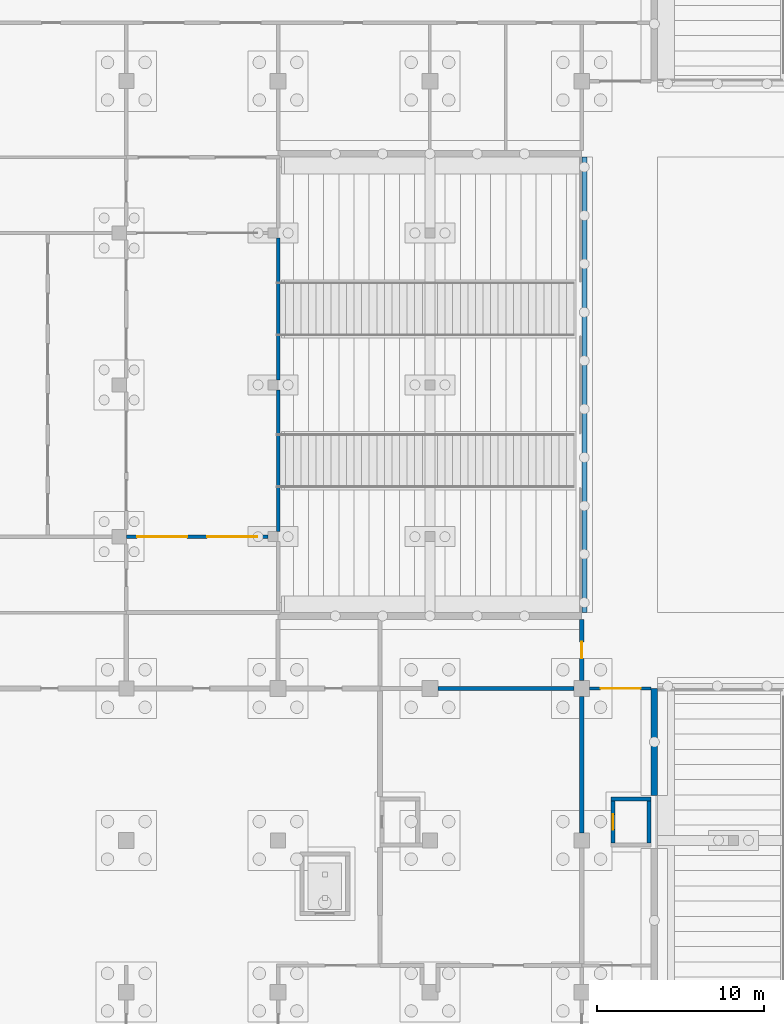
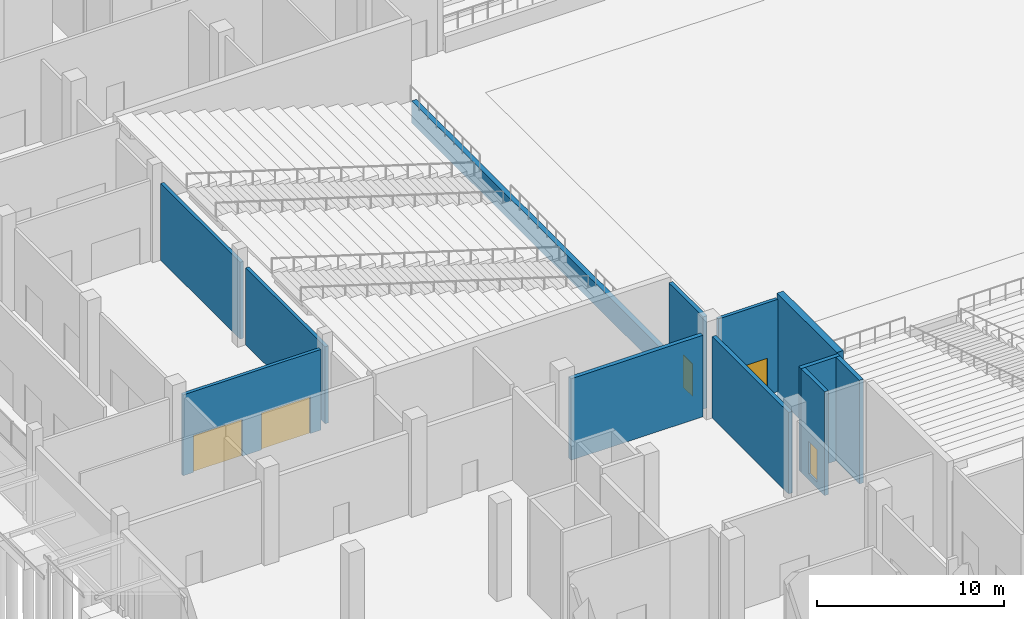
# One storey, part 71 of 129: 12 walls, 5 doors, 5 openings.
"""IFC4 building model written with IfcOpenShell, lengths in metres."""

from ifc_helpers import new_model, si_unit, direction, frame, frame_2d, origin, place, context, subcontext, project, spatial, rectangle, extrude, material, layer, layer_set, type_object, element, fill, save


model = new_model("IFC4")

# Units and contexts
model_context = context("Model", 3, precision=1e-05, world=origin(), true_north=direction((0.0, 1.0)))
body_context = subcontext(model_context, "Body", "Model", "MODEL_VIEW")
ifc_project = project(units=[si_unit("LENGTHUNIT", "METRE"), si_unit("AREAUNIT", "SQUARE_METRE"), si_unit("VOLUMEUNIT", "CUBIC_METRE"), si_unit("PLANEANGLEUNIT", "RADIAN"), si_unit("MASSUNIT", "GRAM", prefix="KILO")], contexts=[model_context])

# Site, building, storey
site_placement = place(None, origin())
site = spatial("IfcSite", under=ifc_project, at=site_placement, CompositionType="ELEMENT")
building_placement = place(site_placement, origin())
building = spatial("IfcBuilding", under=site, at=building_placement, Name="Shirokan Park Arena", CompositionType="ELEMENT")
storey_placement = place(building_placement, origin())
storey = spatial("IfcBuildingStorey", under=building, at=storey_placement, Name="L00", CompositionType="ELEMENT", Elevation=0.0)

# Walls
ifc_material_1 = material(Name="Plaster")
ifc_layer_1 = layer(ifc_material_1, 0.014892578125, Name="Plaster")
ifc_material_2 = material(Name="Concrete blockwork", Category="masonry")
ifc_layer_2 = layer(ifc_material_2, 0.219970703125, Name="Concrete blockwork 220")
ifc_layer_3 = layer(ifc_material_1, 0.014892578125, Name="Plaster")
ifc_layer_set_1 = layer_set([ifc_layer_1, ifc_layer_2, ifc_layer_3], Name="Plaster + Concrete blockwork 220")
wall_type_1 = type_object("IfcWallType", Name="Compartment wall 250", PredefinedType="SOLIDWALL", material=ifc_layer_set_1)
wall_1_placement = place(storey_placement, frame((27.77490234375, 36.39990234375, 0.0), z_axis=(0.0, 0.0, 1.0), x_axis=(1.0, 0.0, 0.0)))
element("IfcWall", 1, at=wall_1_placement, inside=storey, type_object=wall_type_1, Name="Compartment wall 250 L00", PredefinedType="SOLIDWALL", context=body_context, shape_type="SweptSolid", body=[
    extrude(rectangle(XDim=8.150146484375, YDim=0.25, at=frame_2d((4.0751953125, 0.0))), origin(), (0.0, 0.0, 1.0), 5.320068359375),
])
wall_2_placement = place(storey_placement, frame((36.39990234375, 35.925048828125, 0.0), z_axis=(0.0, 0.0, 1.0), x_axis=(0.0, -1.0, 0.0)))
element("IfcWall", 2, at=wall_2_placement, inside=storey, type_object=wall_type_1, Name="Compartment wall 250 L00", PredefinedType="SOLIDWALL", context=body_context, shape_type="SweptSolid", body=[
    extrude(rectangle(XDim=8.175048828125, YDim=0.25, at=frame_2d((4.08740234375, 0.0))), origin(), (0.0, 0.0, 1.0), 5.320068359375),
])

# Wall, opening, door
wall_3_placement = place(storey_placement, frame((36.39990234375, 40.550048828125, 0.0), z_axis=(0.0, 0.0, 1.0), x_axis=(0.0, -1.0, 0.0)))
wall_3 = element("IfcWall", 3, at=wall_3_placement, inside=storey, type_object=wall_type_1, Name="Compartment wall 250 L00", PredefinedType="SOLIDWALL", context=body_context, shape_type="SweptSolid", body=[
    extrude(rectangle(XDim=3.675048828125, YDim=0.25, at=frame_2d((1.83740234375, 0.0))), origin(), (0.0, 0.0, 1.0), 6.02001953125),
])
opening_1_placement = place(wall_3_placement, frame((1.35009765625, 0.0, 0.0)))
opening_1 = element("IfcOpeningElement", 4, at=opening_1_placement, cuts=wall_3, Name="Opening D-0005", PredefinedType="OPENING", context=body_context, shape_type="SweptSolid", body=[
    extrude(rectangle(XDim=1.0, YDim=2.10009765625, at=frame_2d((0.5, 1.050048828125))), frame((0.0, 0.135009765625, 0.0), z_axis=(0.0, -1.0, 0.0), x_axis=(1.0, 0.0, 0.0)), (0.0, 0.0, 1.0), 0.27001953125),
])
ifc_material_3 = material(Name="Timber door set, fire resisting", Category="wood")
door_type_1 = type_object("IfcDoorType", Name="Door 1000 x 2100", OperationType="SINGLE_SWING_LEFT", PredefinedType="DOOR", material=ifc_material_3)
door_1_placement = place(opening_1_placement, origin())
door_1 = element("IfcDoor", 5, at=door_1_placement, inside=storey, type_object=door_type_1, Name="Door to Marshalling Store D-0005", OperationType="SINGLE_SWING_RIGHT", OverallHeight=2.10009765625, OverallWidth=1.0, PredefinedType="DOOR", context=body_context, shape_type="SweptSolid", body=[
    extrude(rectangle(XDim=1.0, YDim=2.10009765625, at=frame_2d((0.5, 1.050048828125))), frame((0.0, 0.02490234375, 0.0), z_axis=(0.0, -1.0, 0.0), x_axis=(1.0, 0.0, 0.0)), (0.0, 0.0, 1.0), 0.050048828125),
])
fill(opening_1, door_1)

# Wall, openings, doors
ifc_material_4 = material(Name="Gypsum board")
ifc_layer_4 = layer(ifc_material_4, 0.02490234375, Name="Gypsum board, two layers")
ifc_material_5 = material(Name="Mineral wool insulation")
ifc_layer_5 = layer(ifc_material_5, 0.14990234375, Name="Mineral wool insulation")
ifc_layer_6 = layer(ifc_material_4, 0.02490234375, Name="Gypsum board, two layers")
ifc_layer_set_2 = layer_set([ifc_layer_4, ifc_layer_5, ifc_layer_6], Name="Gypsum board, two layers + Mineral wool insulation")
wall_type_2 = type_object("IfcWallType", Name="Corridor wall 200", PredefinedType="PARTITIONING", material=ifc_layer_set_2)
wall_4_placement = place(storey_placement, frame((17.60009765625, 45.5, 0.0), z_axis=(0.0, 0.0, 1.0), x_axis=(-1.0, 0.0, 0.0)))
wall_4 = element("IfcWall", 6, at=wall_4_placement, inside=storey, type_object=wall_type_2, Name="Corridor wall 200 L00", PredefinedType="PARTITIONING", context=body_context, shape_type="SweptSolid", body=[
    extrude(rectangle(XDim=8.5, YDim=0.199951171875, at=frame_2d((4.25, 0.0))), origin(), (0.0, 0.0, 1.0), 5.27001953125),
])
opening_2_placement = place(wall_4_placement, frame((0.64990234375, 0.0, 0.0)))
opening_2 = element("IfcOpeningElement", 7, at=opening_2_placement, cuts=wall_4, Name="Opening D-0157", PredefinedType="OPENING", context=body_context, shape_type="SweptSolid", body=[
    extrude(rectangle(XDim=3.0, YDim=2.39990234375, at=frame_2d((1.5, 1.199951171875))), frame((0.0, 0.10986328125, 0.0), z_axis=(0.0, -1.0, 0.0), x_axis=(1.0, 0.0, 0.0)), (0.0, 0.0, 1.0), 0.219970703125),
])
opening_3_placement = place(wall_4_placement, frame((4.85009765625, 0.0, 0.0)))
opening_3 = element("IfcOpeningElement", 8, at=opening_3_placement, cuts=wall_4, Name="Opening D-0158", PredefinedType="OPENING", context=body_context, shape_type="SweptSolid", body=[
    extrude(rectangle(XDim=3.0, YDim=2.39990234375, at=frame_2d((1.5, 1.199951171875))), frame((0.0, 0.10986328125, 0.0), z_axis=(0.0, -1.0, 0.0), x_axis=(1.0, 0.0, 0.0)), (0.0, 0.0, 1.0), 0.219970703125),
])
ifc_material_6 = material(Name="Glazed steel door set, fire resisting", Category="steel")
door_type_2 = type_object("IfcDoorType", Name="Concourse door 3000 x 2400", OperationType="DOUBLE_DOOR_SINGLE_SWING", PredefinedType="DOOR", material=ifc_material_6)
door_2_placement = place(opening_2_placement, origin())
door_2 = element("IfcDoor", 9, at=door_2_placement, inside=storey, type_object=door_type_2, Name="Door between Entrance Concourse E3 and Ticket Hall South E3 D-0157", OperationType="DOUBLE_DOOR_SINGLE_SWING", OverallHeight=2.39990234375, OverallWidth=3.0, PredefinedType="DOOR", context=body_context, shape_type="SweptSolid", body=[
    extrude(rectangle(XDim=3.0, YDim=2.39990234375, at=frame_2d((1.5, 1.199951171875))), frame((0.0, 0.02490234375, 0.0), z_axis=(0.0, -1.0, 0.0), x_axis=(1.0, 0.0, 0.0)), (0.0, 0.0, 1.0), 0.050048828125),
])
fill(opening_2, door_2)
door_3_placement = place(opening_3_placement, origin())
door_3 = element("IfcDoor", 10, at=door_3_placement, inside=storey, type_object=door_type_2, Name="Door between Entrance Concourse E3 and Ticket Hall South E3 D-0158", OperationType="DOUBLE_DOOR_SINGLE_SWING", OverallHeight=2.39990234375, OverallWidth=3.0, PredefinedType="DOOR", context=body_context, shape_type="SweptSolid", body=[
    extrude(rectangle(XDim=3.0, YDim=2.39990234375, at=frame_2d((1.5, 1.199951171875))), frame((0.0, 0.02490234375, 0.0), z_axis=(0.0, -1.0, 0.0), x_axis=(1.0, 0.0, 0.0)), (0.0, 0.0, 1.0), 0.050048828125),
])
fill(opening_3, door_3)

# Walls
for number, where, z_axis, x_axis, name in (
    (11, (18.199951171875, 54.300048828125, 0.0), (0.0, 0.0, 1.0), (0.0, -1.0, 0.0), "Corridor wall 200 L00"),
    (12, (18.199951171875, 63.39990234375, 0.0), (0.0, 0.0, 1.0), (0.0, -1.0, 0.0), "Corridor wall 200 L00"),
):
    element("IfcWall", number, at=place(storey_placement, frame(where, z_axis=z_axis, x_axis=x_axis)), inside=storey, type_object=wall_type_2, Name=name, PredefinedType="PARTITIONING", context=body_context, shape_type="SweptSolid", body=[
        extrude(rectangle(XDim=8.5, YDim=0.199951171875, at=frame_2d((4.25, 0.0))), origin(), (0.0, 0.0, 1.0), 5.02001953125),
    ])

# Wall, opening, door
wall_5_placement = place(storey_placement, frame((36.875, 36.39990234375, 0.0), z_axis=(0.0, 0.0, 1.0), x_axis=(1.0, 0.0, 0.0)))
wall_5 = element("IfcWall", 13, at=wall_5_placement, inside=storey, type_object=wall_type_2, Name="Corridor wall 200 L00", PredefinedType="PARTITIONING", context=body_context, shape_type="SweptSolid", body=[
    extrude(rectangle(XDim=3.675048828125, YDim=0.199951171875, at=frame_2d((1.83740234375, 0.0))), origin(), (0.0, 0.0, 1.0), 6.02001953125),
])
opening_4_placement = place(wall_5_placement, frame((0.64990234375, 0.0, 0.0)))
opening_4 = element("IfcOpeningElement", 14, at=opening_4_placement, cuts=wall_5, Name="Opening D-0037", PredefinedType="OPENING", context=body_context, shape_type="SweptSolid", body=[
    extrude(rectangle(XDim=2.39990234375, YDim=2.39990234375, at=frame_2d((1.199951171875, 1.199951171875))), frame((0.0, 0.10986328125, 0.0), z_axis=(0.0, -1.0, 0.0), x_axis=(1.0, 0.0, 0.0)), (0.0, 0.0, 1.0), 0.219970703125),
])
ifc_material_7 = material(Name="Steel door set, fire resisting", Category="steel")
door_type_3 = type_object("IfcDoorType", Name="Double door 2400 x 2400", OperationType="DOUBLE_DOOR_SINGLE_SWING", PredefinedType="DOOR", material=ifc_material_7)
door_4_placement = place(opening_4_placement, origin())
door_4 = element("IfcDoor", 15, at=door_4_placement, inside=storey, type_object=door_type_3, Name="Door between Floor Access Passage 1 and Team Corridor 1.0 D-0037", OperationType="DOUBLE_DOOR_SINGLE_SWING", OverallHeight=2.39990234375, OverallWidth=2.39990234375, PredefinedType="DOOR", context=body_context, shape_type="SweptSolid", body=[
    extrude(rectangle(XDim=2.39990234375, YDim=2.39990234375, at=frame_2d((1.199951171875, 1.199951171875))), frame((0.0, 0.02490234375, 0.0), z_axis=(0.0, -1.0, 0.0), x_axis=(1.0, 0.0, 0.0)), (0.0, 0.0, 1.0), 0.050048828125),
])
fill(opening_4, door_4)

# Walls
ifc_material_8 = material(Name="Concrete C35", Category="concrete")
ifc_layer_7 = layer(ifc_material_8, 0.39990234375)
ifc_layer_set_3 = layer_set([ifc_layer_7], Name="Concrete C35 400 mm")
wall_type_3 = type_object("IfcWallType", Name="RC flank wall 400", PredefinedType="SHEAR", material=ifc_layer_set_3)
wall_6_placement = place(storey_placement, frame((40.75, 36.39990234375, -0.39990234375), z_axis=(0.0, 0.0, 1.0), x_axis=(0.0, -1.0, 0.0)))
element("IfcWall", 16, at=wall_6_placement, inside=storey, type_object=wall_type_3, Name="Flank wall S1 L00", PredefinedType="SHEAR", context=body_context, shape_type="SweptSolid", body=[
    extrude(rectangle(XDim=6.408935546875, YDim=0.39990234375, at=frame_2d((3.20458984375, 0.0))), origin(), (0.0, 0.0, 1.0), 6.77001953125),
])
ifc_layer_8 = layer(ifc_material_8, 0.300048828125)
ifc_layer_set_4 = layer_set([ifc_layer_8], Name="Concrete C35 300 mm")
wall_type_4 = type_object("IfcWallType", Name="RC front wall 300", PredefinedType="SOLIDWALL", material=ifc_layer_set_4)
wall_7_placement = place(storey_placement, frame((36.550048828125, 40.949951171875, -0.39990234375), z_axis=(0.0, 0.0, 1.0), x_axis=(0.0, 1.0, 0.0)))
element("IfcWall", 17, at=wall_7_placement, inside=storey, type_object=wall_type_4, Name="Front wall W", PredefinedType="SOLIDWALL", context=body_context, shape_type="SweptSolid", body=[
    extrude(rectangle(XDim=27.300048828125, YDim=0.300048828125, at=frame_2d((13.64990234375, 0.0))), origin(), (0.0, 0.0, 1.0), 1.449951171875),
])
ifc_material_9 = material(Name="Concrete C40/50", Category="concrete")
ifc_layer_9 = layer(ifc_material_9, 0.25)
ifc_layer_set_5 = layer_set([ifc_layer_9], Name="Concrete C40/50 250 mm")
wall_type_5 = type_object("IfcWallType", Name="RC shear wall 250", PredefinedType="SHEAR", material=ifc_layer_set_5)
wall_8_placement = place(storey_placement, frame((40.550048828125, 29.77490234375, -0.39990234375), z_axis=(0.0, 0.0, 1.0), x_axis=(-1.0, 0.0, 0.0)))
element("IfcWall", 18, at=wall_8_placement, inside=storey, type_object=wall_type_5, Name="Shaft wall Services Riser 1.1 N L00", PredefinedType="SHEAR", context=body_context, shape_type="SweptSolid", body=[
    extrude(rectangle(XDim=2.400146484375, YDim=0.25, at=frame_2d((1.2001953125, 0.0))), origin(), (0.0, 0.0, 1.0), 6.77001953125),
])

# Wall, opening, door
wall_9_placement = place(storey_placement, frame((38.27490234375, 29.64990234375, -0.39990234375), z_axis=(0.0, 0.0, 1.0), x_axis=(0.0, -1.0, 0.0)))
wall_9 = element("IfcWall", 19, at=wall_9_placement, inside=storey, type_object=wall_type_5, Name="Shaft wall Services Riser 1.1 W L00", PredefinedType="SHEAR", context=body_context, shape_type="SweptSolid", body=[
    extrude(rectangle(XDim=2.5, YDim=0.25, at=frame_2d((1.25, 0.0))), origin(), (0.0, 0.0, 1.0), 6.77001953125),
])
opening_5_placement = place(wall_9_placement, frame((0.800048828125, 0.0, 0.39990234375)))
opening_5 = element("IfcOpeningElement", 20, at=opening_5_placement, cuts=wall_9, Name="Opening D-0165", PredefinedType="OPENING", context=body_context, shape_type="SweptSolid", body=[
    extrude(rectangle(XDim=0.89990234375, YDim=2.10009765625, at=frame_2d((0.449951171875, 1.050048828125))), frame((0.0, 0.135009765625, 0.0), z_axis=(0.0, -1.0, 0.0), x_axis=(1.0, 0.0, 0.0)), (0.0, 0.0, 1.0), 0.27001953125),
])
door_type_4 = type_object("IfcDoorType", Name="Electrical riser door 900 x 2100", OperationType="SINGLE_SWING_LEFT", PredefinedType="DOOR", material=ifc_material_7)
door_5_placement = place(opening_5_placement, origin())
door_5 = element("IfcDoor", 21, at=door_5_placement, inside=storey, type_object=door_type_4, Name="Riser access door Services Riser 1.1 D-0165", OperationType="SINGLE_SWING_LEFT", OverallHeight=2.10009765625, OverallWidth=0.89990234375, PredefinedType="DOOR", context=body_context, shape_type="SweptSolid", body=[
    extrude(rectangle(XDim=0.89990234375, YDim=2.10009765625, at=frame_2d((0.449951171875, 1.050048828125))), frame((0.0, 0.02490234375, 0.0), z_axis=(0.0, -1.0, 0.0), x_axis=(1.0, 0.0, 0.0)), (0.0, 0.0, 1.0), 0.050048828125),
])
fill(opening_5, door_5)

# Wall
wall_10_placement = place(storey_placement, frame((40.425048828125, 29.64990234375, -0.39990234375), z_axis=(0.0, 0.0, 1.0), x_axis=(0.0, -1.0, 0.0)))
element("IfcWall", 22, at=wall_10_placement, inside=storey, type_object=wall_type_5, Name="Shaft wall Services Riser 1.1 E L00", PredefinedType="SHEAR", context=body_context, shape_type="SweptSolid", body=[
    extrude(rectangle(XDim=2.5, YDim=0.25, at=frame_2d((1.25, 0.0))), origin(), (0.0, 0.0, 1.0), 6.77001953125),
])

save(model, "model.ifc")
